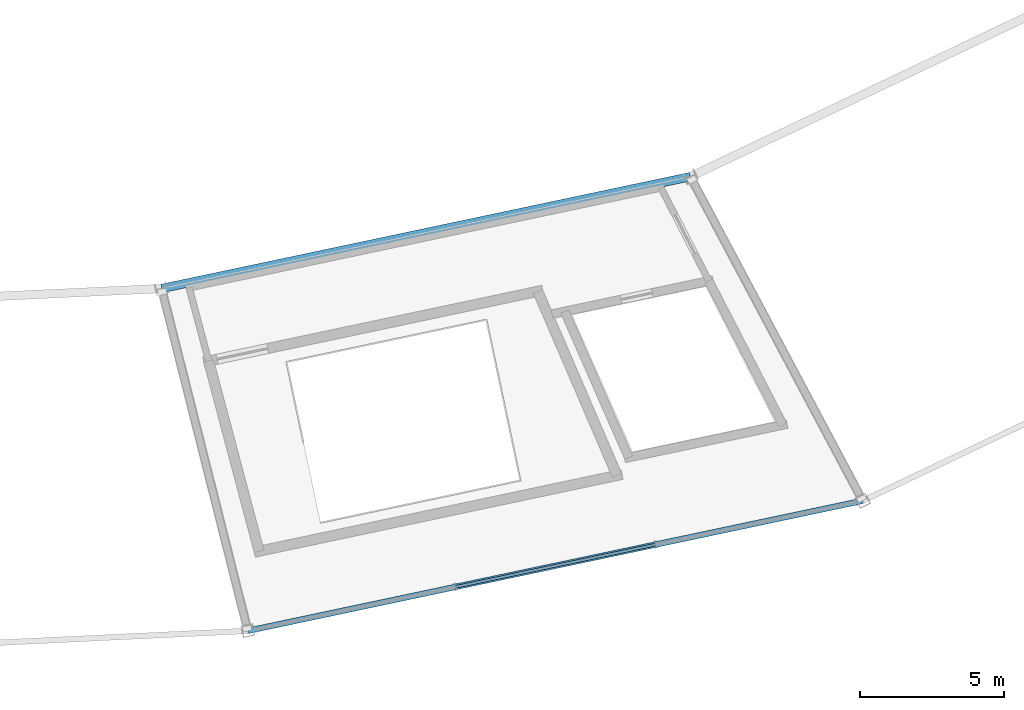
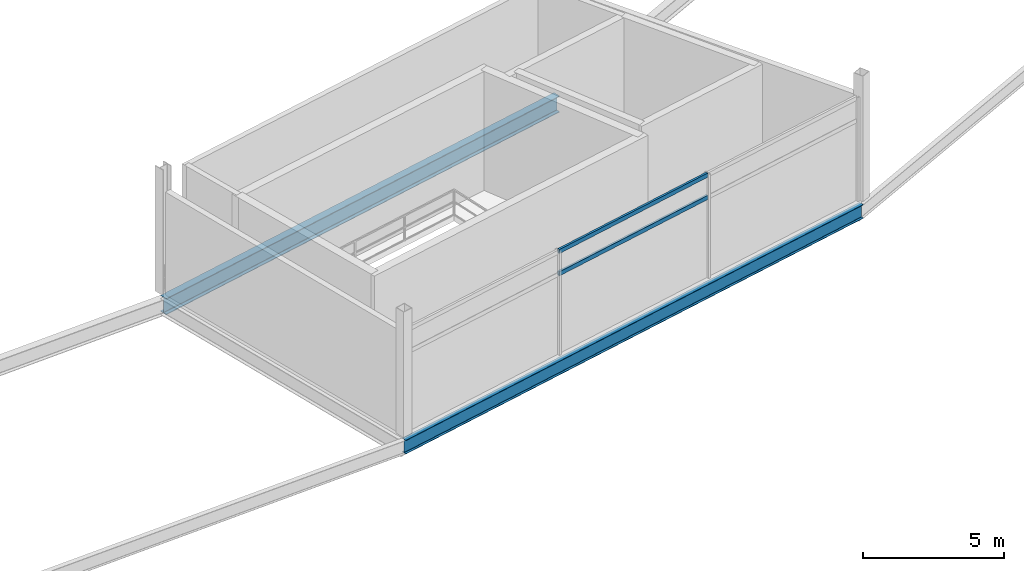
# One storey, part 36 of 86: 2 beams, 2 members, 1 element without a shape of its own.
"""IFC4 building model written with IfcOpenShell, lengths in metres."""

from ifc_helpers import new_model, si_unit, direction, frame, origin, origin_2d, place, context, subcontext, project, spatial, hollow_rectangle, i_section, extrude, material, layer, layer_set, material_profile, profile_set, type_object, element, aggregate, save


model = new_model("IFC4")

# Units and contexts
model_context = context("Model", 3, precision=1e-05, world=origin(), true_north=direction((0.0, 1.0)))
body_context = subcontext(model_context, "Body", "Model", "MODEL_VIEW")
ifc_project = project(units=[si_unit("LENGTHUNIT", "METRE"), si_unit("AREAUNIT", "SQUARE_METRE"), si_unit("VOLUMEUNIT", "CUBIC_METRE"), si_unit("PLANEANGLEUNIT", "RADIAN"), si_unit("MASSUNIT", "GRAM", prefix="KILO")], contexts=[model_context])

# Site, building, storey
site_placement = place(None, origin())
site = spatial("IfcSite", under=ifc_project, at=site_placement, CompositionType="ELEMENT")
building_placement = place(site_placement, origin())
building = spatial("IfcBuilding", under=site, at=building_placement, Name="Kazemori Nagisa Stadium", CompositionType="ELEMENT")
storey_placement = place(building_placement, frame((0.0, 0.0, 31.280029296875)))
storey = spatial("IfcBuildingStorey", under=building, at=storey_placement, Name="L06", CompositionType="ELEMENT", Elevation=31.280029296875)

# Beams
ifc_material_1 = material(Name="Steel SN490B", Category="steel")
ifc_material_profile_1 = material_profile(ifc_material_1, i_section(OverallWidth=0.300048828125, OverallDepth=0.699951171875, WebThickness=0.012939453125, FlangeThickness=0.02392578125, FilletRadius=0.01806640625, at=origin_2d()), Name="H-700x300x13x24")
ifc_profile_set_1 = profile_set([ifc_material_profile_1], Name="Steel SN490B")
beam_type_1 = type_object("IfcBeamType", Name="Beam_BG-H700", PredefinedType="BEAM", material=ifc_profile_set_1)
beam_1_placement = place(storey_placement, frame((141.427734375, 28.911376953125, -0.610107421875), z_axis=(0.978345149833, 0.206980114499, 0.0), x_axis=(-0.206980114499, 0.978345149833, 0.0)))
element("IfcBeam", 1, at=beam_1_placement, inside=storey, type_object=beam_type_1, Name="Ring girder BG-H700 L06 R2-23", PredefinedType="BEAM", context=body_context, shape_type="SweptSolid", body=[
    extrude(i_section(OverallWidth=0.300048828125, OverallDepth=0.699951171875, WebThickness=0.012939453125, FlangeThickness=0.02392578125, FilletRadius=0.01806640625, at=origin_2d()), origin(), (0.0, 0.0, 1.0), 18.791259765625),
])
ifc_material_profile_2 = material_profile(ifc_material_1, i_section(OverallWidth=0.199951171875, OverallDepth=0.60009765625, WebThickness=0.010986328125, FlangeThickness=0.01708984375, FilletRadius=0.012939453125, at=origin_2d()), Name="H-600x200x11x17")
ifc_profile_set_2 = profile_set([ifc_material_profile_2], Name="Steel SN490B")
beam_type_2 = type_object("IfcBeamType", Name="Beam_BS-H600", PredefinedType="SPANDREL", material=ifc_profile_set_2)
beam_2_placement = place(storey_placement, frame((144.427734375, 17.01318359375, -0.56005859375), z_axis=(0.97834587432, 0.206976689994, 0.0), x_axis=(-0.206976689994, 0.97834587432, 0.0)))
element("IfcBeam", 2, at=beam_2_placement, inside=storey, type_object=beam_type_2, Name="Ring girder BS-H600 L06 R3-23", PredefinedType="SPANDREL", context=body_context, shape_type="SweptSolid", body=[
    extrude(i_section(OverallWidth=0.199951171875, OverallDepth=0.60009765625, WebThickness=0.010986328125, FlangeThickness=0.01708984375, FilletRadius=0.012939453125, at=origin_2d()), origin(), (0.0, 0.0, 1.0), 21.85009765625),
])

# Curtain wall, members
ifc_material_2 = material(Name="Anodised aluminium 6063-T5", Category="aluminium")
ifc_layer = layer(ifc_material_2, 0.239990234375, Name="Anodised aluminium 6063-T5", Category="aluminium")
ifc_layer_set = layer_set([ifc_layer], Name="Anodised aluminium 6063-T5")
curtain_wall_type = type_object("IfcCurtainWallType", Name="CW_L06R3_107", PredefinedType="USERDEFINED", material=ifc_layer_set)
curtain_wall_placement = place(storey_placement, origin())
curtain_wall = element("IfcCurtainWall", 3, at=curtain_wall_placement, inside=storey, type_object=curtain_wall_type, Name="Unitised curtain wall CW-L06R3-107 L06", ObjectType="UNITISED CURTAIN WALL", PredefinedType="USERDEFINED")
ifc_material_3 = material(Name="Aluminium 6063-T5 anodised", Category="aluminium")
ifc_material_profile_3 = material_profile(ifc_material_3, hollow_rectangle(XDim=0.090087890625, YDim=0.179931640625, WallThickness=0.0048828125, at=origin_2d()), Name="ALU-TRAN-90x180x5")
ifc_profile_set_3 = profile_set([ifc_material_profile_3], Name="Aluminium 6063-T5 anodised")
member_type = type_object("IfcMemberType", Name="Transom_T03", PredefinedType="USERDEFINED", material=ifc_profile_set_3)
member_1_placement = place(storey_placement, frame((151.649658203125, 18.541015625, 3.47265625), z_axis=(0.978344605267, 0.206982688515, 0.0), x_axis=(-0.206982688515, 0.978344605267, 0.0)))
member_1 = element("IfcMember", 4, at=member_1_placement, type_object=member_type, Name="Curtain wall transom CW-L06R3-107-T2-mid", ObjectType="TRANSOM", PredefinedType="USERDEFINED", context=body_context, shape_type="SweptSolid", body=[
    extrude(hollow_rectangle(XDim=0.090087890625, YDim=0.179931640625, WallThickness=0.0048828125, at=origin_2d()), origin(), (0.0, 0.0, 1.0), 7.086669921875),
])
member_2_placement = place(storey_placement, frame((151.649658203125, 18.541015625, 4.43994140625), z_axis=(0.978344605267, 0.206982688515, 0.0), x_axis=(-0.206982688515, 0.978344605267, 0.0)))
member_2 = element("IfcMember", 5, at=member_2_placement, type_object=member_type, Name="Curtain wall transom CW-L06R3-107-T2-head", ObjectType="TRANSOM", PredefinedType="USERDEFINED", context=body_context, shape_type="SweptSolid", body=[
    extrude(hollow_rectangle(XDim=0.090087890625, YDim=0.179931640625, WallThickness=0.0048828125, at=origin_2d()), origin(), (0.0, 0.0, 1.0), 7.086669921875),
])
aggregate(curtain_wall, [member_1, member_2])

save(model, "model.ifc")
